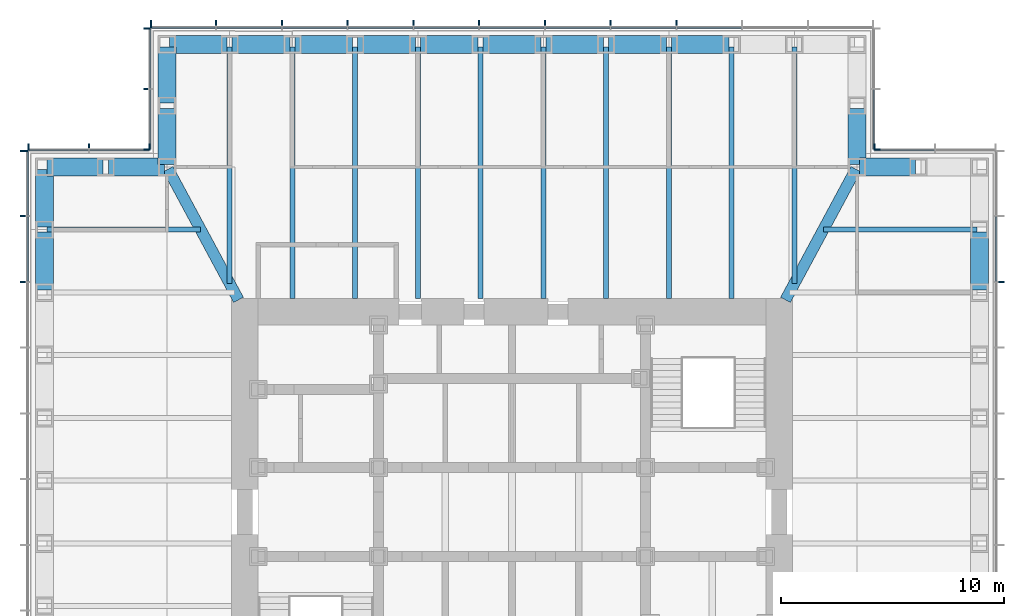
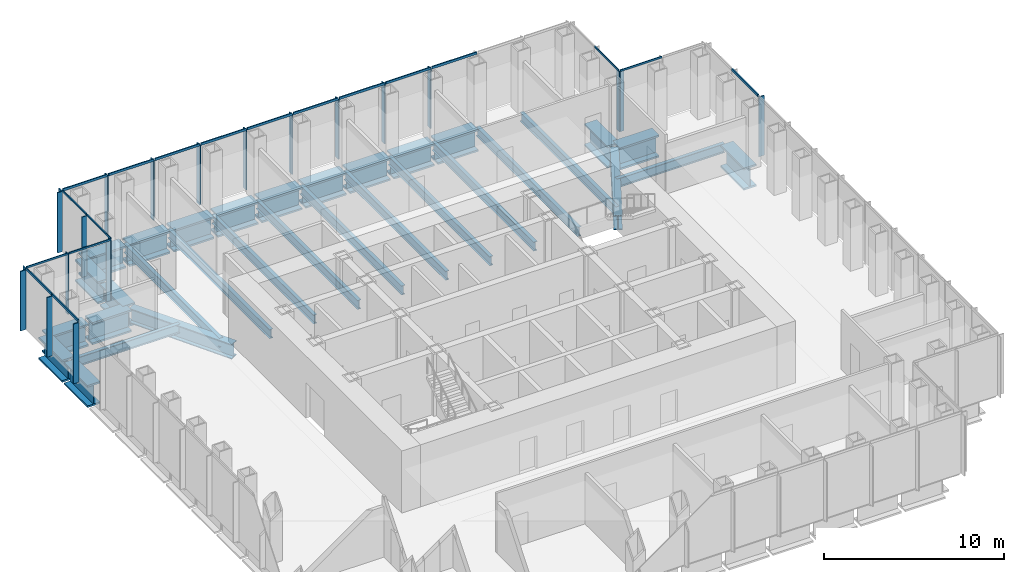
# One storey, part 5 of 16: 39 members, 32 beams, 7 elements without a shape of their own.
"""IFC4 building model written with IfcOpenShell, lengths in metres."""

import ifcopenshell
import ifcopenshell.guid

model = None  # the IFC model being written
_history = None  # IfcOwnerHistory: only IFC2X3 demands one
_inside = {}  # id of a spatial element -> (the spatial element, [elements in it])
_under = {}  # id of a project, library or spatial element -> (it, [spatial elements below it])
_declared = {}  # id of a project -> (the project, [libraries it declares])
_typed = {}  # id of a type object -> (the type object, [elements of that type])
_made_of = {}  # id of a material, layer set ... -> (it, [elements and type objects made of it])


def new_model(schema):
    """Start an empty IFC model of exactly this schema.

    Asked for "IFC4X3", IfcOpenShell would pick the latest addendum, in which some entities
    have other attributes; the version numbers below select the first issue.
    IFC2X3 requires an IfcOwnerHistory on every rooted entity: one is made here for all.
    """
    global model, _history
    if schema == "IFC4X3":
        model = ifcopenshell.file(schema_version=(4, 3, 0, 0))
    else:
        model = ifcopenshell.file(schema=schema)
    _inside.clear()
    _under.clear()
    _declared.clear()
    _typed.clear()
    _made_of.clear()
    _history = None
    if model.schema == "IFC2X3":
        org = make("IfcOrganization", Name="unknown")
        user = make(
            "IfcPersonAndOrganization",
            ThePerson=make("IfcPerson", FamilyName="unknown"),
            TheOrganization=org,
        )
        app = make(
            "IfcApplication",
            ApplicationDeveloper=org,
            Version="unknown",
            ApplicationFullName="unknown",
            ApplicationIdentifier="unknown",
        )
        _history = make(
            "IfcOwnerHistory",
            OwningUser=user,
            OwningApplication=app,
            ChangeAction="ADDED",
            CreationDate=0,
        )
    return model


def make(cls, **values):
    """One entity of the class cls with the attributes given. An attribute that is None is left unset."""
    return model.create_entity(
        cls, **{name: value for name, value in values.items() if value is not None}
    )


def rooted(cls, **values):
    """An entity with a GlobalId (a new one), such as an element, a storey or a relation."""
    return make(cls, GlobalId=ifcopenshell.guid.new(), OwnerHistory=_history, **values)


def si_unit(unit_type, name, prefix=None):
    """IfcSIUnit, for example si_unit("LENGTHUNIT", "METRE", prefix="MILLI")."""
    return make("IfcSIUnit", UnitType=unit_type, Prefix=prefix, Name=name)


def assignment(units):
    """IfcUnitAssignment: the units of a project."""
    return None if units is None else make("IfcUnitAssignment", Units=units)


def point(xyz):
    """IfcCartesianPoint."""
    return None if xyz is None else make("IfcCartesianPoint", Coordinates=xyz)


def direction(xyz):
    """IfcDirection."""
    return None if xyz is None else make("IfcDirection", DirectionRatios=xyz)


def frame(location, z_axis=None, x_axis=None):
    """IfcAxis2Placement3D, a coordinate frame: its origin and axes. An axis left out is left unset."""
    return make(
        "IfcAxis2Placement3D",
        Location=point(location),
        Axis=direction(z_axis),
        RefDirection=direction(x_axis),
    )


def frame_2d(location, x_axis=None):
    """IfcAxis2Placement2D, a coordinate frame in the plane: its origin and x axis."""
    return make(
        "IfcAxis2Placement2D", Location=point(location), RefDirection=direction(x_axis)
    )


def origin():
    """The frame at (0, 0, 0) with its axes left unset."""
    return frame((0.0, 0.0, 0.0))


def origin_2d():
    """The frame at (0, 0) in the plane with its x axis left unset."""
    return frame_2d((0.0, 0.0))


def place(relative_to, where):
    """IfcLocalPlacement: puts the frame where relative to a parent placement (None: the world)."""
    return make(
        "IfcLocalPlacement", PlacementRelTo=relative_to, RelativePlacement=where
    )


def context(
    kind, dimensions, precision=None, world=None, true_north=None, identifier=None
):
    """IfcGeometricRepresentationContext, for example the 3D "Model" context."""
    return make(
        "IfcGeometricRepresentationContext",
        ContextIdentifier=identifier,
        ContextType=kind,
        CoordinateSpaceDimension=dimensions,
        Precision=precision,
        WorldCoordinateSystem=world,
        TrueNorth=true_north,
    )


def subcontext(parent, identifier, kind, view, scale=None):
    """IfcGeometricRepresentationSubContext, for example "Body" below "Model"."""
    return make(
        "IfcGeometricRepresentationSubContext",
        ContextIdentifier=identifier,
        ContextType=kind,
        ParentContext=parent,
        TargetScale=scale,
        TargetView=view,
    )


def project(units=None, contexts=None):
    """IfcProject with its units and contexts."""
    return rooted(
        "IfcProject",
        Name="project",
        RepresentationContexts=contexts,
        UnitsInContext=assignment(units),
    )


def spatial(cls, under=None, at=None, **own):
    """A site, building, storey or space (cls), placed at a placement, below another one or the project."""
    s = rooted(cls, ObjectPlacement=at, **own)
    if under is not None:
        _under.setdefault(under.id(), (under, []))[1].append(s)
    return s


def profile(cls, at=None, kind="AREA", **sizes):
    """A parametric profile (cls). Its sizes go by their IFC names, for example OverallWidth=200.0."""
    return make(cls, ProfileType=kind, Position=at, **sizes)


def rectangle(**sizes):
    """IfcRectangleProfileDef."""
    return profile("IfcRectangleProfileDef", **sizes)


def i_section(**sizes):
    """IfcIShapeProfileDef."""
    return profile("IfcIShapeProfileDef", **sizes)


def extrude(swept, where, along, depth):
    """IfcExtrudedAreaSolid: the profile swept, set in the frame where, extruded along a direction by depth."""
    return make(
        "IfcExtrudedAreaSolid",
        SweptArea=swept,
        Position=where,
        ExtrudedDirection=direction(along),
        Depth=depth,
    )


def shape(context_of_items, identifier, shape_type, items):
    """IfcShapeRepresentation: the items that make up one representation, for example the "Body"."""
    return make(
        "IfcShapeRepresentation",
        ContextOfItems=context_of_items,
        RepresentationIdentifier=identifier,
        RepresentationType=shape_type,
        Items=items,
    )


def material(Name=None, Category=None):
    """IfcMaterial."""
    return make("IfcMaterial", Name=Name, Category=Category)


def material_profile(
    of_material, cross_section, Name=None, Category=None, Priority=None
):
    """IfcMaterialProfile: a cross section and its material."""
    return make(
        "IfcMaterialProfile",
        Name=Name,
        Material=of_material,
        Profile=cross_section,
        Priority=Priority,
        Category=Category,
    )


def profile_set(profiles, Name=None, composite=None):
    """IfcMaterialProfileSet."""
    return make(
        "IfcMaterialProfileSet",
        Name=Name,
        MaterialProfiles=profiles,
        CompositeProfile=composite,
    )


def made_of(thing, what):
    """Note that an element or type object is made of a material, layer set ...; save() writes the relation."""
    if what is not None:
        _made_of.setdefault(what.id(), (what, []))[1].append(thing)
    return thing


def type_object(cls, material=None, **own):
    """A type object (cls), such as IfcWallType, which elements share."""
    return made_of(rooted(cls, **own), material)


def element(
    cls,
    number,
    at=None,
    inside=None,
    cuts=None,
    type_object=None,
    material=None,
    context=None,
    identifier="Body",
    shape_type=None,
    held_by="IfcProductDefinitionShape",
    body=None,
    shapes=None,
    **own,
):
    """One element of the class cls, such as IfcWall. Its Tag is "e" and its number.

    at: its placement. inside: the storey or other place that contains it. cuts: it is an
    opening in that element (IfcRelVoidsElement). A single representation is given by context,
    identifier, shape_type and body (its items); several are given by shapes. held_by: the class
    of the entity that holds the representations. save() writes the other relations.
    """
    e = rooted(cls, Tag="e%d" % number, ObjectPlacement=at, **own)
    if body is not None:
        shapes = [shape(context, identifier, shape_type, body)]
    if shapes is not None:
        e.Representation = make(held_by, Representations=shapes)
    if inside is not None:
        _inside.setdefault(inside.id(), (inside, []))[1].append(e)
    if cuts is not None:
        rooted(
            "IfcRelVoidsElement", RelatingBuildingElement=cuts, RelatedOpeningElement=e
        )
    if type_object is not None:
        _typed.setdefault(type_object.id(), (type_object, []))[1].append(e)
    return made_of(e, material)


def aggregate(whole, parts):
    """IfcRelAggregates: a whole, such as a stair, and the parts it consists of."""
    return rooted("IfcRelAggregates", RelatingObject=whole, RelatedObjects=parts)


def save(model, path):
    """Write the relations noted so far, then the file.

    IfcRelAggregates (storeys below a building ...), IfcRelContainedInSpatialStructure (elements
    in a storey), IfcRelDefinesByType, IfcRelAssociatesMaterial and IfcRelDeclares: one each for
    every whole, place, type object, material and project.
    """
    for whole, parts in _under.values():
        aggregate(whole, parts)
    for where, things in _inside.values():
        rooted(
            "IfcRelContainedInSpatialStructure",
            RelatedElements=things,
            RelatingStructure=where,
        )
    for kind, things in _typed.values():
        rooted("IfcRelDefinesByType", RelatedObjects=things, RelatingType=kind)
    for what, things in _made_of.values():
        rooted("IfcRelAssociatesMaterial", RelatedObjects=things, RelatingMaterial=what)
    for by, libraries in _declared.values():
        rooted("IfcRelDeclares", RelatingContext=by, RelatedDefinitions=libraries)
    model.write(path)


model = new_model("IFC4")

# Units and contexts
model_context = context("Model", 3, precision=1e-05, world=origin(), true_north=direction((0.0, 1.0)))
body_context = subcontext(model_context, "Body", "Model", "MODEL_VIEW")
ifc_project = project(units=[si_unit("LENGTHUNIT", "METRE"), si_unit("AREAUNIT", "SQUARE_METRE"), si_unit("VOLUMEUNIT", "CUBIC_METRE"), si_unit("PLANEANGLEUNIT", "RADIAN"), si_unit("MASSUNIT", "GRAM", prefix="KILO")], contexts=[model_context])

# Site, building, storey
site_placement = place(None, origin())
site = spatial("IfcSite", under=ifc_project, at=site_placement, CompositionType="ELEMENT")
building_placement = place(site_placement, origin())
building = spatial("IfcBuilding", under=site, at=building_placement, Name="Daluyong Arena Tower", CompositionType="ELEMENT")
storey_placement = place(building_placement, frame((0.0, 0.0, 219.10009765625)))
storey = spatial("IfcBuildingStorey", under=building, at=storey_placement, Name="L49", CompositionType="ELEMENT", Elevation=219.10009765625)

# Curtain wall, member
ifc_material_1 = material(Name="Bronze anodised aluminium and glass", Category="aluminium")
curtain_wall_type_1 = type_object("IfcCurtainWallType", Name="Curtain wall CW3", PredefinedType="USERDEFINED", material=ifc_material_1)
curtain_wall_1_placement = place(storey_placement, origin())
curtain_wall_1 = element("IfcCurtainWall", 1, at=curtain_wall_1_placement, inside=storey, type_object=curtain_wall_type_1, Name="curtain wall L49 E", ObjectType="UNITISED CURTAIN WALL", PredefinedType="USERDEFINED")
ifc_material_2 = material(Name="Bronze anodised aluminium fin", Category="aluminium")
ifc_material_profile_1 = material_profile(ifc_material_2, rectangle(XDim=0.35009765625, YDim=0.070068359375, at=origin_2d()))
ifc_profile_set_1 = profile_set([ifc_material_profile_1], Name="Bronze anodised aluminium fin")
member_type_1 = type_object("IfcMemberType", Name="CW3 bronze fin 350x70", PredefinedType="MULLION", material=ifc_profile_set_1)
member_1_placement = place(storey_placement, frame((77.925048828125, 90.3408203125, 0.0), z_axis=(0.0, 0.0, 1.0), x_axis=(-1.0, 0.0, 0.0)))
member_1 = element("IfcMember", 2, at=member_1_placement, type_object=member_type_1, Name="curtain wall L49 E fin 10", PredefinedType="MULLION", context=body_context, shape_type="SweptSolid", body=[
    extrude(rectangle(XDim=0.35009765625, YDim=0.070068359375, at=origin_2d()), origin(), (0.0, 0.0, 1.0), 4.039794921875),
])

# Curtain wall, members
curtain_wall_2_placement = place(storey_placement, origin())
curtain_wall_2 = element("IfcCurtainWall", 3, at=curtain_wall_2_placement, inside=storey, type_object=curtain_wall_type_1, Name="curtain wall L49 N", ObjectType="UNITISED CURTAIN WALL", PredefinedType="USERDEFINED")
member_2_placement = place(storey_placement, frame((63.386474609375, 101.925048828125, 0.0), z_axis=(0.0, 0.0, 1.0), x_axis=(0.0, -1.0, 0.0)))
member_2 = element("IfcMember", 4, at=member_2_placement, type_object=member_type_1, Name="curtain wall L49 N fin 4", PredefinedType="MULLION", context=body_context, shape_type="SweptSolid", body=[
    extrude(rectangle(XDim=0.35009765625, YDim=0.070068359375, at=origin_2d()), origin(), (0.0, 0.0, 1.0), 4.039794921875),
])
member_3_placement = place(storey_placement, frame((60.431884765625, 101.925048828125, 0.0), z_axis=(0.0, 0.0, 1.0), x_axis=(0.0, -1.0, 0.0)))
member_3 = element("IfcMember", 5, at=member_3_placement, type_object=member_type_1, Name="curtain wall L49 N fin 5", PredefinedType="MULLION", context=body_context, shape_type="SweptSolid", body=[
    extrude(rectangle(XDim=0.35009765625, YDim=0.070068359375, at=origin_2d()), origin(), (0.0, 0.0, 1.0), 4.039794921875),
])
member_4_placement = place(storey_placement, frame((57.477294921875, 101.925048828125, 0.0), z_axis=(0.0, 0.0, 1.0), x_axis=(0.0, -1.0, 0.0)))
member_4 = element("IfcMember", 6, at=member_4_placement, type_object=member_type_1, Name="curtain wall L49 N fin 6", PredefinedType="MULLION", context=body_context, shape_type="SweptSolid", body=[
    extrude(rectangle(XDim=0.35009765625, YDim=0.070068359375, at=origin_2d()), origin(), (0.0, 0.0, 1.0), 4.039794921875),
])
member_5_placement = place(storey_placement, frame((54.522705078125, 101.925048828125, 0.0), z_axis=(0.0, 0.0, 1.0), x_axis=(0.0, -1.0, 0.0)))
member_5 = element("IfcMember", 7, at=member_5_placement, type_object=member_type_1, Name="curtain wall L49 N fin 7", PredefinedType="MULLION", context=body_context, shape_type="SweptSolid", body=[
    extrude(rectangle(XDim=0.35009765625, YDim=0.070068359375, at=origin_2d()), origin(), (0.0, 0.0, 1.0), 4.039794921875),
])
member_6_placement = place(storey_placement, frame((51.568115234375, 101.925048828125, 0.0), z_axis=(0.0, 0.0, 1.0), x_axis=(0.0, -1.0, 0.0)))
member_6 = element("IfcMember", 8, at=member_6_placement, type_object=member_type_1, Name="curtain wall L49 N fin 8", PredefinedType="MULLION", context=body_context, shape_type="SweptSolid", body=[
    extrude(rectangle(XDim=0.35009765625, YDim=0.070068359375, at=origin_2d()), origin(), (0.0, 0.0, 1.0), 4.039794921875),
])
member_7_placement = place(storey_placement, frame((48.613525390625, 101.925048828125, 0.0), z_axis=(0.0, 0.0, 1.0), x_axis=(0.0, -1.0, 0.0)))
member_7 = element("IfcMember", 9, at=member_7_placement, type_object=member_type_1, Name="curtain wall L49 N fin 9", PredefinedType="MULLION", context=body_context, shape_type="SweptSolid", body=[
    extrude(rectangle(XDim=0.35009765625, YDim=0.070068359375, at=origin_2d()), origin(), (0.0, 0.0, 1.0), 4.039794921875),
])
member_8_placement = place(storey_placement, frame((45.6591796875, 101.925048828125, 0.0), z_axis=(0.0, 0.0, 1.0), x_axis=(0.0, -1.0, 0.0)))
member_8 = element("IfcMember", 10, at=member_8_placement, type_object=member_type_1, Name="curtain wall L49 N fin 10", PredefinedType="MULLION", context=body_context, shape_type="SweptSolid", body=[
    extrude(rectangle(XDim=0.35009765625, YDim=0.070068359375, at=origin_2d()), origin(), (0.0, 0.0, 1.0), 4.039794921875),
])
member_9_placement = place(storey_placement, frame((42.70458984375, 101.925048828125, 0.0), z_axis=(0.0, 0.0, 1.0), x_axis=(0.0, -1.0, 0.0)))
member_9 = element("IfcMember", 11, at=member_9_placement, type_object=member_type_1, Name="curtain wall L49 N fin 11", PredefinedType="MULLION", context=body_context, shape_type="SweptSolid", body=[
    extrude(rectangle(XDim=0.35009765625, YDim=0.070068359375, at=origin_2d()), origin(), (0.0, 0.0, 1.0), 4.039794921875),
])
member_10_placement = place(storey_placement, frame((39.784912109375, 101.925048828125, 0.0), z_axis=(0.0, 0.0, 1.0), x_axis=(0.0, -1.0, 0.0)))
member_10 = element("IfcMember", 12, at=member_10_placement, type_object=member_type_1, Name="curtain wall L49 N fin 12", PredefinedType="MULLION", context=body_context, shape_type="SweptSolid", body=[
    extrude(rectangle(XDim=0.35009765625, YDim=0.070068359375, at=origin_2d()), origin(), (0.0, 0.0, 1.0), 4.039794921875),
])

curtain_wall_3_placement = place(storey_placement, origin())
curtain_wall_3 = element("IfcCurtainWall", 13, at=curtain_wall_3_placement, inside=storey, type_object=curtain_wall_type_1, Name="curtain wall L49 W", ObjectType="UNITISED CURTAIN WALL", PredefinedType="USERDEFINED")
member_11_placement = place(storey_placement, frame((34.074951171875, 96.215087890625, 0.0), z_axis=(0.0, 0.0, 1.0), x_axis=(1.0, 0.0, 0.0)))
member_11 = element("IfcMember", 14, at=member_11_placement, type_object=member_type_1, Name="curtain wall L49 W fin 1", PredefinedType="MULLION", context=body_context, shape_type="SweptSolid", body=[
    extrude(rectangle(XDim=0.35009765625, YDim=0.070068359375, at=origin_2d()), origin(), (0.0, 0.0, 1.0), 4.039794921875),
])
member_12_placement = place(storey_placement, frame((34.074951171875, 93.29541015625, 0.0), z_axis=(0.0, 0.0, 1.0), x_axis=(1.0, 0.0, 0.0)))
member_12 = element("IfcMember", 15, at=member_12_placement, type_object=member_type_1, Name="curtain wall L49 W fin 2", PredefinedType="MULLION", context=body_context, shape_type="SweptSolid", body=[
    extrude(rectangle(XDim=0.35009765625, YDim=0.070068359375, at=origin_2d()), origin(), (0.0, 0.0, 1.0), 4.039794921875),
])
member_13_placement = place(storey_placement, frame((34.074951171875, 90.3408203125, 0.0), z_axis=(0.0, 0.0, 1.0), x_axis=(1.0, 0.0, 0.0)))
member_13 = element("IfcMember", 16, at=member_13_placement, type_object=member_type_1, Name="curtain wall L49 W fin 3", PredefinedType="MULLION", context=body_context, shape_type="SweptSolid", body=[
    extrude(rectangle(XDim=0.35009765625, YDim=0.070068359375, at=origin_2d()), origin(), (0.0, 0.0, 1.0), 4.039794921875),
])

# Member
ifc_material_3 = material(Name="Bronze anodised aluminium", Category="aluminium")
ifc_material_profile_2 = material_profile(ifc_material_3, rectangle(XDim=0.070068359375, YDim=0.159912109375, at=origin_2d()))
ifc_profile_set_2 = profile_set([ifc_material_profile_2], Name="Bronze anodised aluminium")
member_type_2 = type_object("IfcMemberType", Name="CW3 stack transom 160x70", PredefinedType="USERDEFINED", material=ifc_profile_set_2)
member_14_placement = place(storey_placement, frame((77.75, 90.3759765625, 4.119873046875), z_axis=(0.0, 1.0, 0.0), x_axis=(-1.0, 0.0, 0.0)))
member_14 = element("IfcMember", 17, at=member_14_placement, type_object=member_type_2, Name="curtain wall L49 E transom 10", ObjectType="TRANSOM", PredefinedType="USERDEFINED", context=body_context, shape_type="SweptSolid", body=[
    extrude(rectangle(XDim=0.070068359375, YDim=0.159912109375, at=origin_2d()), origin(), (0.0, 0.0, 1.0), 2.884521484375),
])

aggregate(curtain_wall_1, [member_1, member_14])

member_15_placement = place(storey_placement, frame((66.305908203125, 101.75, 4.119873046875), z_axis=(-1.0, 0.0, 0.0), x_axis=(0.0, -1.0, 0.0)))
member_15 = element("IfcMember", 18, at=member_15_placement, type_object=member_type_2, Name="curtain wall L49 N transom 3", ObjectType="TRANSOM", PredefinedType="USERDEFINED", context=body_context, shape_type="SweptSolid", body=[
    extrude(rectangle(XDim=0.070068359375, YDim=0.159912109375, at=origin_2d()), origin(), (0.0, 0.0, 1.0), 2.884521484375),
])

member_16_placement = place(storey_placement, frame((63.351318359375, 101.75, 4.119873046875), z_axis=(-1.0, 0.0, 0.0), x_axis=(0.0, -1.0, 0.0)))
member_16 = element("IfcMember", 19, at=member_16_placement, type_object=member_type_2, Name="curtain wall L49 N transom 4", ObjectType="TRANSOM", PredefinedType="USERDEFINED", context=body_context, shape_type="SweptSolid", body=[
    extrude(rectangle(XDim=0.070068359375, YDim=0.159912109375, at=origin_2d()), origin(), (0.0, 0.0, 1.0), 2.884521484375),
])

member_17_placement = place(storey_placement, frame((60.396728515625, 101.75, 4.119873046875), z_axis=(-1.0, 0.0, 0.0), x_axis=(0.0, -1.0, 0.0)))
member_17 = element("IfcMember", 20, at=member_17_placement, type_object=member_type_2, Name="curtain wall L49 N transom 5", ObjectType="TRANSOM", PredefinedType="USERDEFINED", context=body_context, shape_type="SweptSolid", body=[
    extrude(rectangle(XDim=0.070068359375, YDim=0.159912109375, at=origin_2d()), origin(), (0.0, 0.0, 1.0), 2.884521484375),
])

member_18_placement = place(storey_placement, frame((57.4423828125, 101.75, 4.119873046875), z_axis=(-1.0, 0.0, 0.0), x_axis=(0.0, -1.0, 0.0)))
member_18 = element("IfcMember", 21, at=member_18_placement, type_object=member_type_2, Name="curtain wall L49 N transom 6", ObjectType="TRANSOM", PredefinedType="USERDEFINED", context=body_context, shape_type="SweptSolid", body=[
    extrude(rectangle(XDim=0.070068359375, YDim=0.159912109375, at=origin_2d()), origin(), (0.0, 0.0, 1.0), 2.884765625),
])

member_19_placement = place(storey_placement, frame((54.48779296875, 101.75, 4.119873046875), z_axis=(-1.0, 0.0, 0.0), x_axis=(0.0, -1.0, 0.0)))
member_19 = element("IfcMember", 22, at=member_19_placement, type_object=member_type_2, Name="curtain wall L49 N transom 7", ObjectType="TRANSOM", PredefinedType="USERDEFINED", context=body_context, shape_type="SweptSolid", body=[
    extrude(rectangle(XDim=0.070068359375, YDim=0.159912109375, at=origin_2d()), origin(), (0.0, 0.0, 1.0), 2.884521484375),
])

member_20_placement = place(storey_placement, frame((51.533203125, 101.75, 4.119873046875), z_axis=(-1.0, 0.0, 0.0), x_axis=(0.0, -1.0, 0.0)))
member_20 = element("IfcMember", 23, at=member_20_placement, type_object=member_type_2, Name="curtain wall L49 N transom 8", ObjectType="TRANSOM", PredefinedType="USERDEFINED", context=body_context, shape_type="SweptSolid", body=[
    extrude(rectangle(XDim=0.070068359375, YDim=0.159912109375, at=origin_2d()), origin(), (0.0, 0.0, 1.0), 2.884521484375),
])

member_21_placement = place(storey_placement, frame((48.57861328125, 101.75, 4.119873046875), z_axis=(-1.0, 0.0, 0.0), x_axis=(0.0, -1.0, 0.0)))
member_21 = element("IfcMember", 24, at=member_21_placement, type_object=member_type_2, Name="curtain wall L49 N transom 9", ObjectType="TRANSOM", PredefinedType="USERDEFINED", context=body_context, shape_type="SweptSolid", body=[
    extrude(rectangle(XDim=0.070068359375, YDim=0.159912109375, at=origin_2d()), origin(), (0.0, 0.0, 1.0), 2.884521484375),
])

member_22_placement = place(storey_placement, frame((45.6240234375, 101.75, 4.119873046875), z_axis=(-1.0, 0.0, 0.0), x_axis=(0.0, -1.0, 0.0)))
member_22 = element("IfcMember", 25, at=member_22_placement, type_object=member_type_2, Name="curtain wall L49 N transom 10", ObjectType="TRANSOM", PredefinedType="USERDEFINED", context=body_context, shape_type="SweptSolid", body=[
    extrude(rectangle(XDim=0.070068359375, YDim=0.159912109375, at=origin_2d()), origin(), (0.0, 0.0, 1.0), 2.884521484375),
])

member_23_placement = place(storey_placement, frame((42.66943359375, 101.75, 4.119873046875), z_axis=(-1.0, 0.0, 0.0), x_axis=(0.0, -1.0, 0.0)))
member_23 = element("IfcMember", 26, at=member_23_placement, type_object=member_type_2, Name="curtain wall L49 N transom 11", ObjectType="TRANSOM", PredefinedType="USERDEFINED", context=body_context, shape_type="SweptSolid", body=[
    extrude(rectangle(XDim=0.070068359375, YDim=0.159912109375, at=origin_2d()), origin(), (0.0, 0.0, 1.0), 2.849365234375),
])

aggregate(curtain_wall_2, [member_2, member_3, member_4, member_5, member_6, member_7, member_8, member_9, member_10, member_15, member_16, member_17, member_18, member_19, member_20, member_21, member_22, member_23])

member_24_placement = place(storey_placement, frame((34.25, 96.179931640625, 4.119873046875), z_axis=(0.0, -1.0, 0.0), x_axis=(1.0, 0.0, 0.0)))
member_24 = element("IfcMember", 27, at=member_24_placement, type_object=member_type_2, Name="curtain wall L49 W transom 1", ObjectType="TRANSOM", PredefinedType="USERDEFINED", context=body_context, shape_type="SweptSolid", body=[
    extrude(rectangle(XDim=0.070068359375, YDim=0.159912109375, at=origin_2d()), origin(), (0.0, 0.0, 1.0), 2.849365234375),
])

member_25_placement = place(storey_placement, frame((34.25, 93.260498046875, 4.119873046875), z_axis=(0.0, -1.0, 0.0), x_axis=(1.0, 0.0, 0.0)))
member_25 = element("IfcMember", 28, at=member_25_placement, type_object=member_type_2, Name="curtain wall L49 W transom 2", ObjectType="TRANSOM", PredefinedType="USERDEFINED", context=body_context, shape_type="SweptSolid", body=[
    extrude(rectangle(XDim=0.070068359375, YDim=0.159912109375, at=origin_2d()), origin(), (0.0, 0.0, 1.0), 2.884521484375),
])

aggregate(curtain_wall_3, [member_11, member_12, member_13, member_24, member_25])

# Curtain wall, member
ifc_material_4 = material(Name="Bronze anodised aluminium and glass", Category="aluminium")
curtain_wall_type_2 = type_object("IfcCurtainWallType", Name="Curtain wall CW7", PredefinedType="USERDEFINED", material=ifc_material_4)
curtain_wall_4_placement = place(storey_placement, origin())
curtain_wall_4 = element("IfcCurtainWall", 29, at=curtain_wall_4_placement, inside=storey, type_object=curtain_wall_type_2, Name="curtain wall L49 NE-N", ObjectType="UNITISED CURTAIN WALL", PredefinedType="USERDEFINED")
ifc_material_5 = material(Name="Bronze anodised aluminium fin", Category="aluminium")
ifc_material_profile_3 = material_profile(ifc_material_5, rectangle(XDim=0.300048828125, YDim=0.06005859375, at=origin_2d()))
ifc_profile_set_3 = profile_set([ifc_material_profile_3], Name="Bronze anodised aluminium fin")
member_type_3 = type_object("IfcMemberType", Name="CW7 bronze fin 300x60", PredefinedType="MULLION", material=ifc_profile_set_3)
member_26_placement = place(storey_placement, frame((72.280029296875, 96.39990234375, 0.0), z_axis=(0.0, 0.0, 1.0), x_axis=(0.0, -1.0, 0.0)))
member_26 = element("IfcMember", 30, at=member_26_placement, type_object=member_type_3, Name="curtain wall L49 NE-N fin 3", PredefinedType="MULLION", context=body_context, shape_type="SweptSolid", body=[
    extrude(rectangle(XDim=0.300048828125, YDim=0.06005859375, at=origin_2d()), origin(), (0.0, 0.0, 1.0), 4.079833984375),
])

curtain_wall_5_placement = place(storey_placement, origin())
curtain_wall_5 = element("IfcCurtainWall", 31, at=curtain_wall_5_placement, inside=storey, type_object=curtain_wall_type_2, Name="curtain wall L49 NE-E", ObjectType="UNITISED CURTAIN WALL", PredefinedType="USERDEFINED")
member_27_placement = place(storey_placement, frame((72.39990234375, 96.280029296875, 0.0), z_axis=(0.0, 0.0, 1.0), x_axis=(-1.0, 0.0, 0.0)))
member_27 = element("IfcMember", 32, at=member_27_placement, type_object=member_type_3, Name="curtain wall L49 NE-E fin 1", PredefinedType="MULLION", context=body_context, shape_type="SweptSolid", body=[
    extrude(rectangle(XDim=0.300048828125, YDim=0.06005859375, at=origin_2d()), origin(), (0.0, 0.0, 1.0), 4.079833984375),
])

# Curtain wall, members
curtain_wall_6_placement = place(storey_placement, origin())
curtain_wall_6 = element("IfcCurtainWall", 33, at=curtain_wall_6_placement, inside=storey, type_object=curtain_wall_type_2, Name="curtain wall L49 NW-W", ObjectType="UNITISED CURTAIN WALL", PredefinedType="USERDEFINED")
member_28_placement = place(storey_placement, frame((39.60009765625, 101.719970703125, 0.0), z_axis=(0.0, 0.0, 1.0), x_axis=(1.0, 0.0, 0.0)))
member_28 = element("IfcMember", 34, at=member_28_placement, type_object=member_type_3, Name="curtain wall L49 NW-W fin 1", PredefinedType="MULLION", context=body_context, shape_type="SweptSolid", body=[
    extrude(rectangle(XDim=0.300048828125, YDim=0.06005859375, at=origin_2d()), origin(), (0.0, 0.0, 1.0), 4.079833984375),
])
member_29_placement = place(storey_placement, frame((39.60009765625, 99.0, 0.0), z_axis=(0.0, 0.0, 1.0), x_axis=(1.0, 0.0, 0.0)))
member_29 = element("IfcMember", 35, at=member_29_placement, type_object=member_type_3, Name="curtain wall L49 NW-W fin 2", PredefinedType="MULLION", context=body_context, shape_type="SweptSolid", body=[
    extrude(rectangle(XDim=0.300048828125, YDim=0.06005859375, at=origin_2d()), origin(), (0.0, 0.0, 1.0), 4.079833984375),
])
member_30_placement = place(storey_placement, frame((39.60009765625, 96.280029296875, 0.0), z_axis=(0.0, 0.0, 1.0), x_axis=(1.0, 0.0, 0.0)))
member_30 = element("IfcMember", 36, at=member_30_placement, type_object=member_type_3, Name="curtain wall L49 NW-W fin 3", PredefinedType="MULLION", context=body_context, shape_type="SweptSolid", body=[
    extrude(rectangle(XDim=0.300048828125, YDim=0.06005859375, at=origin_2d()), origin(), (0.0, 0.0, 1.0), 4.079833984375),
])

curtain_wall_7_placement = place(storey_placement, origin())
curtain_wall_7 = element("IfcCurtainWall", 37, at=curtain_wall_7_placement, inside=storey, type_object=curtain_wall_type_2, Name="curtain wall L49 NW-N", ObjectType="UNITISED CURTAIN WALL", PredefinedType="USERDEFINED")
member_31_placement = place(storey_placement, frame((39.719970703125, 96.39990234375, 0.0), z_axis=(0.0, 0.0, 1.0), x_axis=(0.0, -1.0, 0.0)))
member_31 = element("IfcMember", 38, at=member_31_placement, type_object=member_type_3, Name="curtain wall L49 NW-N fin 1", PredefinedType="MULLION", context=body_context, shape_type="SweptSolid", body=[
    extrude(rectangle(XDim=0.300048828125, YDim=0.06005859375, at=origin_2d()), origin(), (0.0, 0.0, 1.0), 4.079833984375),
])
member_32_placement = place(storey_placement, frame((37.0, 96.39990234375, 0.0), z_axis=(0.0, 0.0, 1.0), x_axis=(0.0, -1.0, 0.0)))
member_32 = element("IfcMember", 39, at=member_32_placement, type_object=member_type_3, Name="curtain wall L49 NW-N fin 2", PredefinedType="MULLION", context=body_context, shape_type="SweptSolid", body=[
    extrude(rectangle(XDim=0.300048828125, YDim=0.06005859375, at=origin_2d()), origin(), (0.0, 0.0, 1.0), 4.079833984375),
])
member_33_placement = place(storey_placement, frame((34.280029296875, 96.39990234375, 0.0), z_axis=(0.0, 0.0, 1.0), x_axis=(0.0, -1.0, 0.0)))
member_33 = element("IfcMember", 40, at=member_33_placement, type_object=member_type_3, Name="curtain wall L49 NW-N fin 3", PredefinedType="MULLION", context=body_context, shape_type="SweptSolid", body=[
    extrude(rectangle(XDim=0.300048828125, YDim=0.06005859375, at=origin_2d()), origin(), (0.0, 0.0, 1.0), 4.079833984375),
])

# Member
ifc_material_6 = material(Name="Bronze anodised aluminium", Category="aluminium")
ifc_material_profile_4 = material_profile(ifc_material_6, rectangle(XDim=0.06005859375, YDim=0.1201171875, at=origin_2d()))
ifc_profile_set_4 = profile_set([ifc_material_profile_4], Name="Bronze anodised aluminium")
member_type_4 = type_object("IfcMemberType", Name="CW7 stack transom 120x60", PredefinedType="USERDEFINED", material=ifc_profile_set_4)
member_34_placement = place(storey_placement, frame((74.969970703125, 96.25, 4.139892578125), z_axis=(-1.0, 0.0, 0.0), x_axis=(0.0, -1.0, 0.0)))
member_34 = element("IfcMember", 41, at=member_34_placement, type_object=member_type_4, Name="curtain wall L49 NE-N transom 2", ObjectType="TRANSOM", PredefinedType="USERDEFINED", context=body_context, shape_type="SweptSolid", body=[
    extrude(rectangle(XDim=0.06005859375, YDim=0.1201171875, at=origin_2d()), origin(), (0.0, 0.0, 1.0), 2.659912109375),
])

aggregate(curtain_wall_4, [member_26, member_34])

member_35_placement = place(storey_placement, frame((72.25, 96.31005859375, 4.139892578125), z_axis=(0.0, 1.0, 0.0), x_axis=(-1.0, 0.0, 0.0)))
member_35 = element("IfcMember", 42, at=member_35_placement, type_object=member_type_4, Name="curtain wall L49 NE-E transom 1", ObjectType="TRANSOM", PredefinedType="USERDEFINED", context=body_context, shape_type="SweptSolid", body=[
    extrude(rectangle(XDim=0.06005859375, YDim=0.1201171875, at=origin_2d()), origin(), (0.0, 0.0, 1.0), 2.659912109375),
])

aggregate(curtain_wall_5, [member_27, member_35])

member_36_placement = place(storey_placement, frame((39.75, 101.68994140625, 4.139892578125), z_axis=(0.0, -1.0, 0.0), x_axis=(1.0, 0.0, 0.0)))
member_36 = element("IfcMember", 43, at=member_36_placement, type_object=member_type_4, Name="curtain wall L49 NW-W transom 1", ObjectType="TRANSOM", PredefinedType="USERDEFINED", context=body_context, shape_type="SweptSolid", body=[
    extrude(rectangle(XDim=0.06005859375, YDim=0.1201171875, at=origin_2d()), origin(), (0.0, 0.0, 1.0), 2.659912109375),
])

member_37_placement = place(storey_placement, frame((39.75, 98.969970703125, 4.139892578125), z_axis=(0.0, -1.0, 0.0), x_axis=(1.0, 0.0, 0.0)))
member_37 = element("IfcMember", 44, at=member_37_placement, type_object=member_type_4, Name="curtain wall L49 NW-W transom 2", ObjectType="TRANSOM", PredefinedType="USERDEFINED", context=body_context, shape_type="SweptSolid", body=[
    extrude(rectangle(XDim=0.06005859375, YDim=0.1201171875, at=origin_2d()), origin(), (0.0, 0.0, 1.0), 2.659912109375),
])

aggregate(curtain_wall_6, [member_28, member_29, member_30, member_36, member_37])

member_38_placement = place(storey_placement, frame((39.68994140625, 96.25, 4.139892578125), z_axis=(-1.0, 0.0, 0.0), x_axis=(0.0, -1.0, 0.0)))
member_38 = element("IfcMember", 45, at=member_38_placement, type_object=member_type_4, Name="curtain wall L49 NW-N transom 1", ObjectType="TRANSOM", PredefinedType="USERDEFINED", context=body_context, shape_type="SweptSolid", body=[
    extrude(rectangle(XDim=0.06005859375, YDim=0.1201171875, at=origin_2d()), origin(), (0.0, 0.0, 1.0), 2.659912109375),
])

member_39_placement = place(storey_placement, frame((36.969970703125, 96.25, 4.139892578125), z_axis=(-1.0, 0.0, 0.0), x_axis=(0.0, -1.0, 0.0)))
member_39 = element("IfcMember", 46, at=member_39_placement, type_object=member_type_4, Name="curtain wall L49 NW-N transom 2", ObjectType="TRANSOM", PredefinedType="USERDEFINED", context=body_context, shape_type="SweptSolid", body=[
    extrude(rectangle(XDim=0.06005859375, YDim=0.1201171875, at=origin_2d()), origin(), (0.0, 0.0, 1.0), 2.659912109375),
])

aggregate(curtain_wall_7, [member_31, member_32, member_33, member_38, member_39])

# Beams
ifc_material_7 = material(Name="Steel ASTM A572 Grade 50", Category="steel")
ifc_material_profile_5 = material_profile(ifc_material_7, i_section(OverallWidth=0.5, OverallDepth=1.0, WebThickness=0.03, FlangeThickness=0.06, at=origin_2d()))
ifc_profile_set_5 = profile_set([ifc_material_profile_5], Name="Steel ASTM A572 Grade 50")
beam_type_1 = type_object("IfcBeamType", Name="Corner girder TB1000X500", PredefinedType="BEAM", material=ifc_profile_set_5)
for number, where, z_axis, x_axis, name in (
    (47, (71.445556640625, 95.398681640625, -0.66015625), (-0.474119475266, -0.880460517669, 0.0), (0.880460517669, -0.474119475266, 0.0), "corner girder DG2"),
    (48, (40.554443359375, 95.398681640625, -0.66015625), (0.474119475266, -0.880460517669, 0.0), (0.880460517669, 0.474119475266, 0.0), "corner girder DG2"),
):
    element("IfcBeam", number, at=place(storey_placement, frame(where, z_axis=z_axis, x_axis=x_axis)), inside=storey, type_object=beam_type_1, Name=name, PredefinedType="BEAM", context=body_context, shape_type="SweptSolid", body=[
        extrude(i_section(OverallWidth=0.5, OverallDepth=1.0, WebThickness=0.03, FlangeThickness=0.06, at=origin_2d()), origin(), (0.0, 0.0, 1.0), 6.66748046875),
    ])
ifc_material_8 = material(Name="Steel ASTM A992 Grade 50", Category="steel")
ifc_material_profile_6 = material_profile(ifc_material_8, i_section(OverallWidth=0.22900390625, OverallDepth=0.612060546875, WebThickness=0.011962890625, FlangeThickness=0.01953125, at=origin_2d()))
ifc_profile_set_6 = profile_set([ifc_material_profile_6], Name="Steel ASTM A992 Grade 50")
beam_type_2 = type_object("IfcBeamType", Name="Floor beam W24X84", PredefinedType="BEAM", material=ifc_profile_set_6)
beam_1_placement = place(storey_placement, frame((76.885009765625, 92.681884765625, -0.466064453125), z_axis=(-1.0, 0.0, 0.0), x_axis=(0.0, -1.0, 0.0)))
element("IfcBeam", 49, at=beam_1_placement, inside=storey, type_object=beam_type_2, Name="floor beam FB3", PredefinedType="BEAM", context=body_context, shape_type="SweptSolid", body=[
    extrude(i_section(OverallWidth=0.22900390625, OverallDepth=0.612060546875, WebThickness=0.011962890625, FlangeThickness=0.01953125, at=origin_2d()), origin(), (0.0, 0.0, 1.0), 6.902587890625),
])
beam_2_placement = place(storey_placement, frame((68.681884765625, 100.885009765625, -0.466064453125), z_axis=(0.0, -1.0, 0.0), x_axis=(1.0, 0.0, 0.0)))
element("IfcBeam", 50, at=beam_2_placement, inside=storey, type_object=beam_type_2, Name="floor beam FB3", PredefinedType="BEAM", context=body_context, shape_type="SweptSolid", body=[
    extrude(i_section(OverallWidth=0.22900390625, OverallDepth=0.612060546875, WebThickness=0.011962890625, FlangeThickness=0.01953125, at=origin_2d()), origin(), (0.0, 0.0, 1.0), 10.618896484375),
])
for number, where, z_axis, x_axis, name in (
    (51, (65.863525390625, 100.885009765625, -0.466064453125), (0.0, -1.0, 0.0), (1.0, 0.0, 0.0), "floor beam FB3"),
    (52, (63.04541015625, 100.885009765625, -0.466064453125), (0.0, -1.0, 0.0), (1.0, 0.0, 0.0), "floor beam FB3"),
    (53, (60.227294921875, 100.885009765625, -0.466064453125), (0.0, -1.0, 0.0), (1.0, 0.0, 0.0), "floor beam FB3"),
    (54, (57.4091796875, 100.885009765625, -0.466064453125), (0.0, -1.0, 0.0), (1.0, 0.0, 0.0), "floor beam FB3"),
    (55, (54.5908203125, 100.885009765625, -0.466064453125), (0.0, -1.0, 0.0), (1.0, 0.0, 0.0), "floor beam FB3"),
    (56, (51.772705078125, 100.885009765625, -0.466064453125), (0.0, -1.0, 0.0), (1.0, 0.0, 0.0), "floor beam FB3"),
    (57, (48.95458984375, 100.885009765625, -0.466064453125), (0.0, -1.0, 0.0), (1.0, 0.0, 0.0), "floor beam FB3"),
    (58, (46.136474609375, 100.885009765625, -0.466064453125), (0.0, -1.0, 0.0), (1.0, 0.0, 0.0), "floor beam FB3"),
):
    element("IfcBeam", number, at=place(storey_placement, frame(where, z_axis=z_axis, x_axis=x_axis)), inside=storey, type_object=beam_type_2, Name=name, PredefinedType="BEAM", context=body_context, shape_type="SweptSolid", body=[
        extrude(i_section(OverallWidth=0.22900390625, OverallDepth=0.612060546875, WebThickness=0.011962890625, FlangeThickness=0.01953125, at=origin_2d()), origin(), (0.0, 0.0, 1.0), 11.284912109375),
    ])
beam_3_placement = place(storey_placement, frame((43.318115234375, 100.885009765625, -0.466064453125), z_axis=(0.0, -1.0, 0.0), x_axis=(1.0, 0.0, 0.0)))
element("IfcBeam", 59, at=beam_3_placement, inside=storey, type_object=beam_type_2, Name="floor beam FB3", PredefinedType="BEAM", context=body_context, shape_type="SweptSolid", body=[
    extrude(i_section(OverallWidth=0.22900390625, OverallDepth=0.612060546875, WebThickness=0.011962890625, FlangeThickness=0.01953125, at=origin_2d()), origin(), (0.0, 0.0, 1.0), 10.618896484375),
])
beam_4_placement = place(storey_placement, frame((35.114990234375, 92.681884765625, -0.466064453125), z_axis=(1.0, 0.0, 0.0), x_axis=(0.0, 1.0, 0.0)))
element("IfcBeam", 60, at=beam_4_placement, inside=storey, type_object=beam_type_2, Name="floor beam FB3", PredefinedType="BEAM", context=body_context, shape_type="SweptSolid", body=[
    extrude(i_section(OverallWidth=0.22900390625, OverallDepth=0.612060546875, WebThickness=0.011962890625, FlangeThickness=0.01953125, at=origin_2d()), origin(), (0.0, 0.0, 1.0), 6.902587890625),
])
ifc_material_9 = material(Name="Steel ASTM A588 Grade 50", Category="steel")
ifc_material_profile_7 = material_profile(ifc_material_9, i_section(OverallWidth=0.800048828125, OverallDepth=1.5, WebThickness=0.05, FlangeThickness=0.12, at=origin_2d()))
ifc_profile_set_7 = profile_set([ifc_material_profile_7], Name="Steel ASTM A588 Grade 50")
beam_type_3 = type_object("IfcBeamType", Name="Spandrel Z3 PG1500X800", PredefinedType="SPANDREL", material=ifc_profile_set_7)
beam_5_placement = place(storey_placement, frame((77.0, 89.978515625, -0.91015625), z_axis=(0.0, 1.0, 0.0), x_axis=(-1.0, 0.0, 0.0)))
element("IfcBeam", 61, at=beam_5_placement, inside=storey, type_object=beam_type_3, Name="spandrel z3 SB7", PredefinedType="SPANDREL", context=body_context, shape_type="SweptSolid", body=[
    extrude(i_section(OverallWidth=0.800048828125, OverallDepth=1.5, WebThickness=0.05, FlangeThickness=0.12, at=origin_2d()), origin(), (0.0, 0.0, 1.0), 2.58837890625),
])
for number, where, z_axis, x_axis, name in (
    (62, (74.135009765625, 95.5, -0.91015625), (-1.0, 0.0, 0.0), (0.0, -1.0, 0.0), "spandrel z3 SB7"),
    (63, (71.5, 95.614990234375, -0.91015625), (0.0, 1.0, 0.0), (-1.0, 0.0, 0.0), "spandrel z3 SB7"),
):
    element("IfcBeam", number, at=place(storey_placement, frame(where, z_axis=z_axis, x_axis=x_axis)), inside=storey, type_object=beam_type_3, Name=name, PredefinedType="SPANDREL", context=body_context, shape_type="SweptSolid", body=[
        extrude(i_section(OverallWidth=0.800048828125, OverallDepth=1.5, WebThickness=0.05, FlangeThickness=0.12, at=origin_2d()), origin(), (0.0, 0.0, 1.0), 2.52001953125),
    ])
for number, where, z_axis, x_axis, name in (
    (64, (65.74853515625, 101.0, -0.91015625), (-1.0, 0.0, 0.0), (0.0, -1.0, 0.0), "spandrel z3 SB7"),
    (65, (62.930419921875, 101.0, -0.91015625), (-1.0, 0.0, 0.0), (0.0, -1.0, 0.0), "spandrel z3 SB7"),
    (66, (60.1123046875, 101.0, -0.91015625), (-1.0, 0.0, 0.0), (0.0, -1.0, 0.0), "spandrel z3 SB7"),
):
    element("IfcBeam", number, at=place(storey_placement, frame(where, z_axis=z_axis, x_axis=x_axis)), inside=storey, type_object=beam_type_3, Name=name, PredefinedType="SPANDREL", context=body_context, shape_type="SweptSolid", body=[
        extrude(i_section(OverallWidth=0.800048828125, OverallDepth=1.5, WebThickness=0.05, FlangeThickness=0.12, at=origin_2d()), origin(), (0.0, 0.0, 1.0), 2.588134765625),
    ])
beam_6_placement = place(storey_placement, frame((57.294189453125, 101.0, -0.91015625), z_axis=(-1.0, 0.0, 0.0), x_axis=(0.0, -1.0, 0.0)))
element("IfcBeam", 67, at=beam_6_placement, inside=storey, type_object=beam_type_3, Name="spandrel z3 SB7", PredefinedType="SPANDREL", context=body_context, shape_type="SweptSolid", body=[
    extrude(i_section(OverallWidth=0.800048828125, OverallDepth=1.5, WebThickness=0.05, FlangeThickness=0.12, at=origin_2d()), origin(), (0.0, 0.0, 1.0), 2.58837890625),
])
for number, where, z_axis, x_axis, name in (
    (68, (54.475830078125, 101.0, -0.91015625), (-1.0, 0.0, 0.0), (0.0, -1.0, 0.0), "spandrel z3 SB7"),
    (69, (51.65771484375, 101.0, -0.91015625), (-1.0, 0.0, 0.0), (0.0, -1.0, 0.0), "spandrel z3 SB7"),
    (70, (48.839599609375, 101.0, -0.91015625), (-1.0, 0.0, 0.0), (0.0, -1.0, 0.0), "spandrel z3 SB7"),
):
    element("IfcBeam", number, at=place(storey_placement, frame(where, z_axis=z_axis, x_axis=x_axis)), inside=storey, type_object=beam_type_3, Name=name, PredefinedType="SPANDREL", context=body_context, shape_type="SweptSolid", body=[
        extrude(i_section(OverallWidth=0.800048828125, OverallDepth=1.5, WebThickness=0.05, FlangeThickness=0.12, at=origin_2d()), origin(), (0.0, 0.0, 1.0), 2.588134765625),
    ])
beam_7_placement = place(storey_placement, frame((46.021484375, 101.0, -0.91015625), z_axis=(-1.0, 0.0, 0.0), x_axis=(0.0, -1.0, 0.0)))
element("IfcBeam", 71, at=beam_7_placement, inside=storey, type_object=beam_type_3, Name="spandrel z3 SB7", PredefinedType="SPANDREL", context=body_context, shape_type="SweptSolid", body=[
    extrude(i_section(OverallWidth=0.800048828125, OverallDepth=1.5, WebThickness=0.05, FlangeThickness=0.12, at=origin_2d()), origin(), (0.0, 0.0, 1.0), 2.58837890625),
])
beam_8_placement = place(storey_placement, frame((43.203125, 101.0, -0.91015625), z_axis=(-1.0, 0.0, 0.0), x_axis=(0.0, -1.0, 0.0)))
element("IfcBeam", 72, at=beam_8_placement, inside=storey, type_object=beam_type_3, Name="spandrel z3 SB7", PredefinedType="SPANDREL", context=body_context, shape_type="SweptSolid", body=[
    extrude(i_section(OverallWidth=0.800048828125, OverallDepth=1.5, WebThickness=0.05, FlangeThickness=0.12, at=origin_2d()), origin(), (0.0, 0.0, 1.0), 2.588134765625),
])
for number, where, z_axis, x_axis, name in (
    (73, (40.5, 100.885009765625, -0.91015625), (0.0, -1.0, 0.0), (1.0, 0.0, 0.0), "spandrel z3 SB7"),
    (74, (40.5, 98.135009765625, -0.91015625), (0.0, -1.0, 0.0), (1.0, 0.0, 0.0), "spandrel z3 SB7"),
    (75, (40.385009765625, 95.5, -0.91015625), (-1.0, 0.0, 0.0), (0.0, -1.0, 0.0), "spandrel z3 SB7"),
    (76, (37.635009765625, 95.5, -0.91015625), (-1.0, 0.0, 0.0), (0.0, -1.0, 0.0), "spandrel z3 SB7"),
):
    element("IfcBeam", number, at=place(storey_placement, frame(where, z_axis=z_axis, x_axis=x_axis)), inside=storey, type_object=beam_type_3, Name=name, PredefinedType="SPANDREL", context=body_context, shape_type="SweptSolid", body=[
        extrude(i_section(OverallWidth=0.800048828125, OverallDepth=1.5, WebThickness=0.05, FlangeThickness=0.12, at=origin_2d()), origin(), (0.0, 0.0, 1.0), 2.52001953125),
    ])
beam_9_placement = place(storey_placement, frame((35.0, 95.385009765625, -0.91015625), z_axis=(0.0, -1.0, 0.0), x_axis=(1.0, 0.0, 0.0)))
element("IfcBeam", 77, at=beam_9_placement, inside=storey, type_object=beam_type_3, Name="spandrel z3 SB7", PredefinedType="SPANDREL", context=body_context, shape_type="SweptSolid", body=[
    extrude(i_section(OverallWidth=0.800048828125, OverallDepth=1.5, WebThickness=0.05, FlangeThickness=0.12, at=origin_2d()), origin(), (0.0, 0.0, 1.0), 2.588134765625),
])
beam_10_placement = place(storey_placement, frame((35.0, 92.56689453125, -0.91015625), z_axis=(0.0, -1.0, 0.0), x_axis=(1.0, 0.0, 0.0)))
element("IfcBeam", 78, at=beam_10_placement, inside=storey, type_object=beam_type_3, Name="spandrel z3 SB7", PredefinedType="SPANDREL", context=body_context, shape_type="SweptSolid", body=[
    extrude(i_section(OverallWidth=0.800048828125, OverallDepth=1.5, WebThickness=0.05, FlangeThickness=0.12, at=origin_2d()), origin(), (0.0, 0.0, 1.0), 2.58837890625),
])

save(model, "model.ifc")
